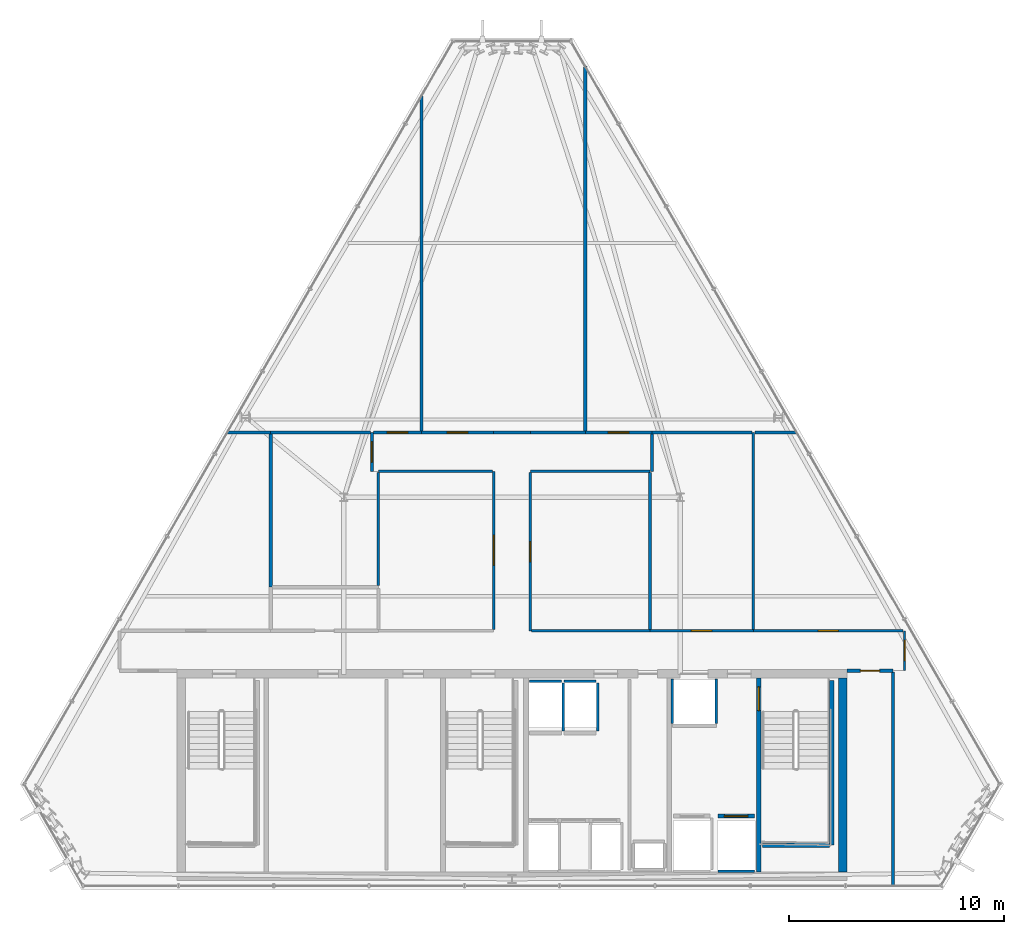
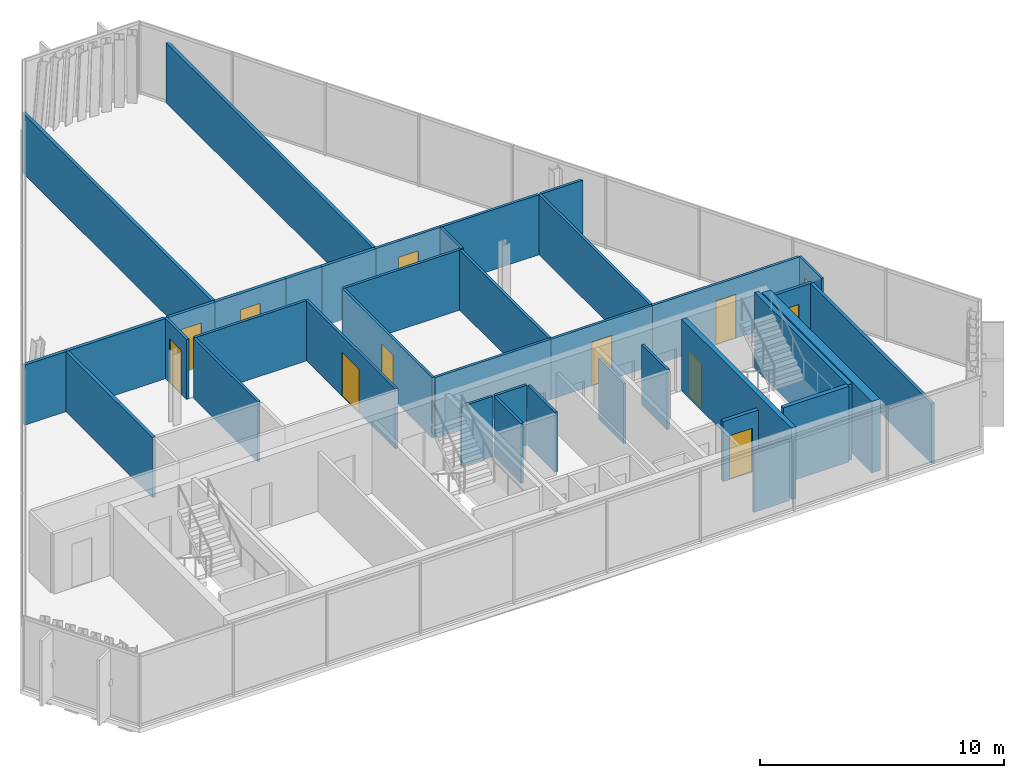
# One storey, part 30 of 34: 39 walls, 12 doors, 12 openings.
"""IFC4 building model written with IfcOpenShell, lengths in metres."""

from ifc_helpers import new_model, si_unit, direction, frame, frame_2d, origin, place, context, subcontext, project, spatial, rectangle, extrude, material, layer, layer_set, type_object, element, fill, save


model = new_model("IFC4")

# Units and contexts
model_context = context("Model", 3, precision=1e-05, world=origin(), true_north=direction((0.0, 1.0)))
body_context = subcontext(model_context, "Body", "Model", "MODEL_VIEW")
ifc_project = project(units=[si_unit("LENGTHUNIT", "METRE"), si_unit("AREAUNIT", "SQUARE_METRE"), si_unit("VOLUMEUNIT", "CUBIC_METRE"), si_unit("PLANEANGLEUNIT", "RADIAN"), si_unit("MASSUNIT", "GRAM", prefix="KILO")], contexts=[model_context])

# Site, building, storey
site_placement = place(None, origin())
site = spatial("IfcSite", under=ifc_project, at=site_placement, CompositionType="ELEMENT")
building_placement = place(site_placement, origin())
building = spatial("IfcBuilding", under=site, at=building_placement, Name="Ndaravel Arena Tower", CompositionType="ELEMENT")
storey_placement = place(building_placement, frame((0.0, 0.0, 267.39990234375)))
storey = spatial("IfcBuildingStorey", under=building, at=storey_placement, Name="L65", CompositionType="ELEMENT", Elevation=267.39990234375)

# Wall, opening, door
ifc_material_1 = material(Name="Concrete C50/60", Category="concrete")
ifc_layer_1 = layer(ifc_material_1, 0.219970703125)
ifc_layer_set_1 = layer_set([ifc_layer_1], Name="Concrete C50/60")
wall_type_1 = type_object("IfcWallType", Name="WALL-CORE-220", PredefinedType="SOLIDWALL", material=ifc_layer_set_1)
wall_1_placement = place(storey_placement, frame((53.449951171875, 5.800048828125, 0.0), z_axis=(0.0, 0.0, 1.0), x_axis=(0.0, 1.0, 0.0)))
wall_1 = element("IfcWall", 1, at=wall_1_placement, inside=storey, type_object=wall_type_1, Name="L65 Core Web Shear Wall 5", PredefinedType="SOLIDWALL", context=body_context, shape_type="SweptSolid", body=[
    extrude(rectangle(XDim=9.0, YDim=0.219970703125, at=frame_2d((4.5, 0.0))), origin(), (0.0, 0.0, 1.0), 3.580078125),
])
opening_1_placement = place(wall_1_placement, frame((7.5, 0.0, 0.0)))
opening_1 = element("IfcOpeningElement", 2, at=opening_1_placement, cuts=wall_1, Name="Opening FD-01", PredefinedType="OPENING", context=body_context, shape_type="SweptSolid", body=[
    extrude(rectangle(XDim=1.10009765625, YDim=2.199951171875, at=frame_2d((0.550048828125, 1.10009765625))), frame((0.0, 0.10986328125, 0.0), z_axis=(0.0, -1.0, 0.0), x_axis=(1.0, 0.0, 0.0)), (0.0, 0.0, 1.0), 0.219970703125),
])
ifc_material_2 = material(Name="Steel S355", Category="steel")
door_type_1 = type_object("IfcDoorType", Name="DT-01-STAIR-1100", OperationType="SINGLE_SWING_LEFT", PredefinedType="DOOR", material=ifc_material_2)
door_1_placement = place(opening_1_placement, origin())
door_1 = element("IfcDoor", 3, at=door_1_placement, inside=storey, type_object=door_type_1, Name="L65 Firefighting Lobby to ST-3 Door", OperationType="SINGLE_SWING_LEFT", OverallHeight=2.199951171875, OverallWidth=1.10009765625, PredefinedType="DOOR", context=body_context, shape_type="SweptSolid", body=[
    extrude(rectangle(XDim=1.10009765625, YDim=2.199951171875, at=frame_2d((0.550048828125, 1.10009765625))), frame((0.0, 0.02490234375, 0.0), z_axis=(0.0, -1.0, 0.0), x_axis=(1.0, 0.0, 0.0)), (0.0, 0.0, 1.0), 0.050048828125),
])
fill(opening_1, door_1)

# Wall
ifc_material_3 = material(Name="Concrete C50/60", Category="concrete")
ifc_layer_2 = layer(ifc_material_3, 0.39990234375)
ifc_layer_set_2 = layer_set([ifc_layer_2], Name="Concrete C50/60")
wall_type_2 = type_object("IfcWallType", Name="WALL-CORE-400", PredefinedType="SOLIDWALL", material=ifc_layer_set_2)
wall_2_placement = place(storey_placement, frame((57.35009765625, 5.800048828125, 0.0), z_axis=(0.0, 0.0, 1.0), x_axis=(0.0, 1.0, 0.0)))
element("IfcWall", 4, at=wall_2_placement, inside=storey, type_object=wall_type_2, Name="L65 Core East Shear Wall", PredefinedType="SOLIDWALL", context=body_context, shape_type="SweptSolid", body=[
    extrude(rectangle(XDim=9.0, YDim=0.39990234375, at=frame_2d((4.5, 0.0))), origin(), (0.0, 0.0, 1.0), 3.580078125),
])

# Wall, opening, door
ifc_material_4 = material(Name="Timber", Category="wood")
ifc_layer_3 = layer(ifc_material_4, 0.10009765625)
ifc_layer_set_3 = layer_set([ifc_layer_3], Name="Timber")
wall_type_3 = type_object("IfcWallType", Name="WALL-MOVABLE-100", PredefinedType="MOVABLE", material=ifc_layer_set_3)
wall_3_placement = place(storey_placement, frame((60.216064453125, 17.0, 0.0), z_axis=(0.0, 0.0, 1.0), x_axis=(0.0, -1.0, 0.0)))
wall_3 = element("IfcWall", 5, at=wall_3_placement, inside=storey, type_object=wall_type_3, Name="L65 Interior Partition 001", PredefinedType="MOVABLE", context=body_context, shape_type="SweptSolid", body=[
    extrude(rectangle(XDim=1.85009765625, YDim=0.10009765625, at=frame_2d((0.925048828125, 0.0))), origin(), (0.0, 0.0, 1.0), 3.010498046875),
])
opening_2_placement = place(wall_3_placement, frame((0.449951171875, 0.0, 0.0)))
opening_2 = element("IfcOpeningElement", 6, at=opening_2_placement, cuts=wall_3, Name="Opening ID-01", PredefinedType="OPENING", context=body_context, shape_type="SweptSolid", body=[
    extrude(rectangle(XDim=0.949951171875, YDim=2.199951171875, at=frame_2d((0.47509765625, 1.10009765625))), frame((0.0, 0.050048828125, 0.0), z_axis=(0.0, -1.0, 0.0), x_axis=(1.0, 0.0, 0.0)), (0.0, 0.0, 1.0), 0.10009765625),
])
ifc_material_5 = material(Name="Timber", Category="wood")
door_type_2 = type_object("IfcDoorType", Name="DT-03-OFFICE-950", OperationType="SINGLE_SWING_LEFT", PredefinedType="DOOR", material=ifc_material_5)
door_2_placement = place(opening_2_placement, origin())
door_2 = element("IfcDoor", 7, at=door_2_placement, inside=storey, type_object=door_type_2, Name="L65 Staff Wellness Clinic Door", OperationType="SINGLE_SWING_RIGHT", OverallHeight=2.199951171875, OverallWidth=0.949951171875, PredefinedType="DOOR", context=body_context, shape_type="SweptSolid", body=[
    extrude(rectangle(XDim=0.949951171875, YDim=2.199951171875, at=frame_2d((0.47509765625, 1.10009765625))), frame((0.0, 0.02490234375, 0.0), z_axis=(0.0, -1.0, 0.0), x_axis=(1.0, 0.0, 0.0)), (0.0, 0.0, 1.0), 0.050048828125),
])
fill(opening_2, door_2)

ifc_material_6 = material(Name="Gypsum", Category="gypsum")
ifc_layer_4 = layer(ifc_material_6, 0.125)
ifc_layer_set_4 = layer_set([ifc_layer_4], Name="Gypsum")
wall_type_4 = type_object("IfcWallType", Name="WALL-PART-125", PredefinedType="PARTITIONING", material=ifc_layer_set_4)
wall_4_placement = place(storey_placement, frame((41.14990234375, 17.06494140625, 0.0), z_axis=(0.0, 0.0, 1.0), x_axis=(0.0, 1.0, 0.0)))
wall_4 = element("IfcWall", 8, at=wall_4_placement, inside=storey, type_object=wall_type_4, Name="L65 Interior Partition 008", PredefinedType="PARTITIONING", context=body_context, shape_type="SweptSolid", body=[
    extrude(rectangle(XDim=7.3349609375, YDim=0.125, at=frame_2d((3.66748046875, 0.0))), origin(), (0.0, 0.0, 1.0), 3.010498046875),
])
opening_3_placement = place(wall_4_placement, frame((2.967529296875, 0.0, 0.0)))
opening_3 = element("IfcOpeningElement", 9, at=opening_3_placement, cuts=wall_4, Name="Opening ID-02", PredefinedType="OPENING", context=body_context, shape_type="SweptSolid", body=[
    extrude(rectangle(XDim=1.39990234375, YDim=2.199951171875, at=frame_2d((0.699951171875, 1.10009765625))), frame((0.0, 0.0625, 0.0), z_axis=(0.0, -1.0, 0.0), x_axis=(1.0, 0.0, 0.0)), (0.0, 0.0, 1.0), 0.125),
])
ifc_material_7 = material(Name="Timber", Category="wood")
door_type_3 = type_object("IfcDoorType", Name="DT-04-SUITE-1400", OperationType="DOUBLE_DOOR_SINGLE_SWING", PredefinedType="DOOR", material=ifc_material_7)
door_3_placement = place(opening_3_placement, origin())
door_3 = element("IfcDoor", 10, at=door_3_placement, inside=storey, type_object=door_type_3, Name="L65 Collaborative Lounge Door", OperationType="SINGLE_SWING_RIGHT", OverallHeight=2.199951171875, OverallWidth=1.39990234375, PredefinedType="DOOR", context=body_context, shape_type="SweptSolid", body=[
    extrude(rectangle(XDim=1.39990234375, YDim=2.199951171875, at=frame_2d((0.699951171875, 1.10009765625))), frame((0.0, 0.02490234375, 0.0), z_axis=(0.0, -1.0, 0.0), x_axis=(1.0, 0.0, 0.0)), (0.0, 0.0, 1.0), 0.050048828125),
])
fill(opening_3, door_3)

# Wall
wall_5_placement = place(storey_placement, frame((41.0849609375, 24.39990234375, 0.0), z_axis=(0.0, 0.0, 1.0), x_axis=(-1.0, 0.0, 0.0)))
element("IfcWall", 11, at=wall_5_placement, inside=storey, type_object=wall_type_4, Name="L65 Interior Partition 009", PredefinedType="PARTITIONING", context=body_context, shape_type="SweptSolid", body=[
    extrude(rectangle(XDim=5.284912109375, YDim=0.125, at=frame_2d((2.642578125, 0.0))), origin(), (0.0, 0.0, 1.0), 3.010498046875),
])

# Wall, opening, door
wall_6_placement = place(storey_placement, frame((35.5, 24.39990234375, 0.0), z_axis=(0.0, 0.0, 1.0), x_axis=(0.0, 1.0, 0.0)))
wall_6 = element("IfcWall", 12, at=wall_6_placement, inside=storey, type_object=wall_type_4, Name="L65 Interior Partition 010", PredefinedType="PARTITIONING", context=body_context, shape_type="SweptSolid", body=[
    extrude(rectangle(XDim=1.800048828125, YDim=0.125, at=frame_2d((0.89990234375, 0.0))), origin(), (0.0, 0.0, 1.0), 3.010498046875),
])
opening_4_placement = place(wall_6_placement, frame((0.425048828125, 0.0, 0.0)))
opening_4 = element("IfcOpeningElement", 13, at=opening_4_placement, cuts=wall_6, Name="Opening ID-01", PredefinedType="OPENING", context=body_context, shape_type="SweptSolid", body=[
    extrude(rectangle(XDim=0.949951171875, YDim=2.199951171875, at=frame_2d((0.47509765625, 1.10009765625))), frame((0.0, 0.0625, 0.0), z_axis=(0.0, -1.0, 0.0), x_axis=(1.0, 0.0, 0.0)), (0.0, 0.0, 1.0), 0.125),
])
door_4_placement = place(opening_4_placement, origin())
door_4 = element("IfcDoor", 14, at=door_4_placement, inside=storey, type_object=door_type_2, Name="L65 Medical First Aid Clinic 3 Door", OperationType="SINGLE_SWING_LEFT", OverallHeight=2.199951171875, OverallWidth=0.949951171875, PredefinedType="DOOR", context=body_context, shape_type="SweptSolid", body=[
    extrude(rectangle(XDim=0.949951171875, YDim=2.199951171875, at=frame_2d((0.47509765625, 1.10009765625))), frame((0.0, 0.02490234375, 0.0), z_axis=(0.0, -1.0, 0.0), x_axis=(1.0, 0.0, 0.0)), (0.0, 0.0, 1.0), 0.050048828125),
])
fill(opening_4, door_4)

wall_7_placement = place(storey_placement, frame((45.39990234375, 26.199951171875, 0.0), z_axis=(0.0, 0.0, 1.0), x_axis=(1.0, 0.0, 0.0)))
wall_7 = element("IfcWall", 15, at=wall_7_placement, inside=storey, type_object=wall_type_4, Name="L65 Interior Partition 015", PredefinedType="PARTITIONING", context=body_context, shape_type="SweptSolid", body=[
    extrude(rectangle(XDim=3.10009765625, YDim=0.125, at=frame_2d((1.550048828125, 0.0))), origin(), (0.0, 0.0, 1.0), 3.010498046875),
])
opening_5_placement = place(wall_7_placement, frame((1.074951171875, 0.0, 0.0)))
opening_5 = element("IfcOpeningElement", 16, at=opening_5_placement, cuts=wall_7, Name="Opening ID-01", PredefinedType="OPENING", context=body_context, shape_type="SweptSolid", body=[
    extrude(rectangle(XDim=0.949951171875, YDim=2.199951171875, at=frame_2d((0.47509765625, 1.10009765625))), frame((0.0, 0.0625, 0.0), z_axis=(0.0, -1.0, 0.0), x_axis=(1.0, 0.0, 0.0)), (0.0, 0.0, 1.0), 0.125),
])
door_5_placement = place(opening_5_placement, origin())
door_5 = element("IfcDoor", 17, at=door_5_placement, inside=storey, type_object=door_type_2, Name="L65 Physio Therapy Room 4 Door", OperationType="SINGLE_SWING_LEFT", OverallHeight=2.199951171875, OverallWidth=0.949951171875, PredefinedType="DOOR", context=body_context, shape_type="SweptSolid", body=[
    extrude(rectangle(XDim=0.949951171875, YDim=2.199951171875, at=frame_2d((0.47509765625, 1.10009765625))), frame((0.0, 0.02490234375, 0.0), z_axis=(0.0, -1.0, 0.0), x_axis=(1.0, 0.0, 0.0)), (0.0, 0.0, 1.0), 0.050048828125),
])
fill(opening_5, door_5)

# Walls
wall_8_placement = place(storey_placement, frame((48.5, 26.135009765625, 0.0), z_axis=(0.0, 0.0, 1.0), x_axis=(0.0, -1.0, 0.0)))
element("IfcWall", 18, at=wall_8_placement, inside=storey, type_object=wall_type_4, Name="L65 Interior Partition 016", PredefinedType="PARTITIONING", context=body_context, shape_type="SweptSolid", body=[
    extrude(rectangle(XDim=1.735107421875, YDim=0.125, at=frame_2d((0.86767578125, 0.0))), origin(), (0.0, 0.0, 1.0), 3.010498046875),
])
wall_9_placement = place(storey_placement, frame((48.39990234375, 24.39990234375, 0.0), z_axis=(0.0, 0.0, 1.0), x_axis=(-1.0, 0.0, 0.0)))
element("IfcWall", 19, at=wall_9_placement, inside=storey, type_object=wall_type_4, Name="L65 Interior Partition 017", PredefinedType="PARTITIONING", context=body_context, shape_type="SweptSolid", body=[
    extrude(rectangle(XDim=5.5498046875, YDim=0.125, at=frame_2d((2.77490234375, 0.0))), origin(), (0.0, 0.0, 1.0), 3.010498046875),
])

# Wall, opening, door
wall_10_placement = place(storey_placement, frame((42.85009765625, 24.3349609375, 0.0), z_axis=(0.0, 0.0, 1.0), x_axis=(0.0, -1.0, 0.0)))
wall_10 = element("IfcWall", 20, at=wall_10_placement, inside=storey, type_object=wall_type_4, Name="L65 Interior Partition 018", PredefinedType="PARTITIONING", context=body_context, shape_type="SweptSolid", body=[
    extrude(rectangle(XDim=7.3349609375, YDim=0.125, at=frame_2d((3.66748046875, 0.0))), origin(), (0.0, 0.0, 1.0), 3.010498046875),
])
opening_6_placement = place(wall_10_placement, frame((3.1923828125, 0.0, 0.0)))
opening_6 = element("IfcOpeningElement", 21, at=opening_6_placement, cuts=wall_10, Name="Opening ID-01", PredefinedType="OPENING", context=body_context, shape_type="SweptSolid", body=[
    extrude(rectangle(XDim=0.949951171875, YDim=2.199951171875, at=frame_2d((0.47509765625, 1.10009765625))), frame((0.0, 0.0625, 0.0), z_axis=(0.0, -1.0, 0.0), x_axis=(1.0, 0.0, 0.0)), (0.0, 0.0, 1.0), 0.125),
])
door_6_placement = place(opening_6_placement, origin())
door_6 = element("IfcDoor", 22, at=door_6_placement, inside=storey, type_object=door_type_2, Name="L65 Design Bookshop Boutique Door", OperationType="SINGLE_SWING_LEFT", OverallHeight=2.199951171875, OverallWidth=0.949951171875, PredefinedType="DOOR", context=body_context, shape_type="SweptSolid", body=[
    extrude(rectangle(XDim=0.949951171875, YDim=2.199951171875, at=frame_2d((0.47509765625, 1.10009765625))), frame((0.0, 0.02490234375, 0.0), z_axis=(0.0, -1.0, 0.0), x_axis=(1.0, 0.0, 0.0)), (0.0, 0.0, 1.0), 0.050048828125),
])
fill(opening_6, door_6)

# Wall
wall_11_placement = place(storey_placement, frame((42.9150390625, 17.0, 0.0), z_axis=(0.0, 0.0, 1.0), x_axis=(1.0, 0.0, 0.0)))
element("IfcWall", 23, at=wall_11_placement, inside=storey, type_object=wall_type_4, Name="L65 Interior Partition 019", PredefinedType="PARTITIONING", context=body_context, shape_type="SweptSolid", body=[
    extrude(rectangle(XDim=5.48486328125, YDim=0.125, at=frame_2d((2.742431640625, 0.0))), origin(), (0.0, 0.0, 1.0), 3.010498046875),
])

# Wall, opening, door
wall_12_placement = place(storey_placement, frame((48.39990234375, 17.0, 0.0), z_axis=(0.0, 0.0, 1.0), x_axis=(1.0, 0.0, 0.0)))
wall_12 = element("IfcWall", 24, at=wall_12_placement, inside=storey, type_object=wall_type_4, Name="L65 Interior Partition 020", PredefinedType="PARTITIONING", context=body_context, shape_type="SweptSolid", body=[
    extrude(rectangle(XDim=4.800048828125, YDim=0.125, at=frame_2d((2.39990234375, 0.0))), origin(), (0.0, 0.0, 1.0), 3.010498046875),
])
opening_7_placement = place(wall_12_placement, frame((1.925048828125, 0.0, 0.0)))
opening_7 = element("IfcOpeningElement", 25, at=opening_7_placement, cuts=wall_12, Name="Opening ID-01", PredefinedType="OPENING", context=body_context, shape_type="SweptSolid", body=[
    extrude(rectangle(XDim=0.949951171875, YDim=2.199951171875, at=frame_2d((0.47509765625, 1.10009765625))), frame((0.0, 0.0625, 0.0), z_axis=(0.0, -1.0, 0.0), x_axis=(1.0, 0.0, 0.0)), (0.0, 0.0, 1.0), 0.125),
])
door_7_placement = place(opening_7_placement, origin())
door_7 = element("IfcDoor", 26, at=door_7_placement, inside=storey, type_object=door_type_2, Name="L65 Occupational Consult Room 2 Door", OperationType="SINGLE_SWING_RIGHT", OverallHeight=2.199951171875, OverallWidth=0.949951171875, PredefinedType="DOOR", context=body_context, shape_type="SweptSolid", body=[
    extrude(rectangle(XDim=0.949951171875, YDim=2.199951171875, at=frame_2d((0.47509765625, 1.10009765625))), frame((0.0, 0.02490234375, 0.0), z_axis=(0.0, -1.0, 0.0), x_axis=(1.0, 0.0, 0.0)), (0.0, 0.0, 1.0), 0.050048828125),
])
fill(opening_7, door_7)

wall_13_placement = place(storey_placement, frame((53.199951171875, 17.0, 0.0), z_axis=(0.0, 0.0, 1.0), x_axis=(1.0, 0.0, 0.0)))
wall_13 = element("IfcWall", 27, at=wall_13_placement, inside=storey, type_object=wall_type_4, Name="L65 Interior Partition 021", PredefinedType="PARTITIONING", context=body_context, shape_type="SweptSolid", body=[
    extrude(rectangle(XDim=6.950927734375, YDim=0.125, at=frame_2d((3.4755859375, 0.0))), origin(), (0.0, 0.0, 1.0), 3.010498046875),
])
opening_8_placement = place(wall_13_placement, frame((3.00048828125, 0.0, 0.0)))
opening_8 = element("IfcOpeningElement", 28, at=opening_8_placement, cuts=wall_13, Name="Opening ID-01", PredefinedType="OPENING", context=body_context, shape_type="SweptSolid", body=[
    extrude(rectangle(XDim=0.949951171875, YDim=2.199951171875, at=frame_2d((0.47509765625, 1.10009765625))), frame((0.0, 0.0625, 0.0), z_axis=(0.0, -1.0, 0.0), x_axis=(1.0, 0.0, 0.0)), (0.0, 0.0, 1.0), 0.125),
])
door_8_placement = place(opening_8_placement, origin())
door_8 = element("IfcDoor", 29, at=door_8_placement, inside=storey, type_object=door_type_2, Name="L65 Barista Galley 3 Door", OperationType="SINGLE_SWING_LEFT", OverallHeight=2.199951171875, OverallWidth=0.949951171875, PredefinedType="DOOR", context=body_context, shape_type="SweptSolid", body=[
    extrude(rectangle(XDim=0.949951171875, YDim=2.199951171875, at=frame_2d((0.47509765625, 1.10009765625))), frame((0.0, 0.02490234375, 0.0), z_axis=(0.0, -1.0, 0.0), x_axis=(1.0, 0.0, 0.0)), (0.0, 0.0, 1.0), 0.050048828125),
])
fill(opening_8, door_8)

# Walls
wall_14_placement = place(storey_placement, frame((35.800048828125, 19.089111328125, 0.0), z_axis=(0.0, 0.0, 1.0), x_axis=(0.0, 1.0, 0.0)))
element("IfcWall", 30, at=wall_14_placement, inside=storey, type_object=wall_type_4, Name="L65 Interior Partition 026", PredefinedType="PARTITIONING", context=body_context, shape_type="SweptSolid", body=[
    extrude(rectangle(XDim=5.245849609375, YDim=0.125, at=frame_2d((2.623046875, 0.0))), origin(), (0.0, 0.0, 1.0), 3.010498046875),
])
wall_15_placement = place(storey_placement, frame((48.39990234375, 24.3349609375, 0.0), z_axis=(0.0, 0.0, 1.0), x_axis=(0.0, -1.0, 0.0)))
element("IfcWall", 31, at=wall_15_placement, inside=storey, type_object=wall_type_4, Name="L65 Interior Partition 027", PredefinedType="PARTITIONING", context=body_context, shape_type="SweptSolid", body=[
    extrude(rectangle(XDim=7.27001953125, YDim=0.125, at=frame_2d((3.635009765625, 0.0))), origin(), (0.0, 0.0, 1.0), 3.010498046875),
])
wall_16_placement = place(storey_placement, frame((53.199951171875, 17.06494140625, 0.0), z_axis=(0.0, 0.0, 1.0), x_axis=(0.0, 1.0, 0.0)))
element("IfcWall", 32, at=wall_16_placement, inside=storey, type_object=wall_type_4, Name="L65 Interior Partition 030", PredefinedType="PARTITIONING", context=body_context, shape_type="SweptSolid", body=[
    extrude(rectangle(XDim=9.135009765625, YDim=0.125, at=frame_2d((4.5673828125, 0.0))), origin(), (0.0, 0.0, 1.0), 3.010498046875),
])
wall_17_placement = place(storey_placement, frame((53.264892578125, 26.199951171875, 0.0), z_axis=(0.0, 0.0, 1.0), x_axis=(1.0, 0.0, 0.0)))
element("IfcWall", 33, at=wall_17_placement, inside=storey, type_object=wall_type_4, Name="L65 Interior Partition 031", PredefinedType="PARTITIONING", context=body_context, shape_type="SweptSolid", body=[
    extrude(rectangle(XDim=1.94921875, YDim=0.125, at=frame_2d((0.974609375, 0.0))), origin(), (0.0, 0.0, 1.0), 3.010498046875),
])
wall_18_placement = place(storey_placement, frame((48.5, 26.199951171875, 0.0), z_axis=(0.0, 0.0, 1.0), x_axis=(1.0, 0.0, 0.0)))
element("IfcWall", 34, at=wall_18_placement, inside=storey, type_object=wall_type_4, Name="L65 Interior Partition 032", PredefinedType="PARTITIONING", context=body_context, shape_type="SweptSolid", body=[
    extrude(rectangle(XDim=4.635009765625, YDim=0.125, at=frame_2d((2.3173828125, 0.0))), origin(), (0.0, 0.0, 1.0), 3.010498046875),
])
ifc_material_8 = material(Name="Concrete C40/50", Category="concrete")
ifc_layer_5 = layer(ifc_material_8, 0.1201171875)
ifc_layer_set_5 = layer_set([ifc_layer_5], Name="Concrete C40/50")
wall_type_5 = type_object("IfcWallType", Name="WALL-SHAFT-120", PredefinedType="SOLIDWALL", material=ifc_layer_set_5)
wall_19_placement = place(storey_placement, frame((42.804931640625, 14.659912109375, 0.0), z_axis=(0.0, 0.0, 1.0), x_axis=(1.0, 0.0, 0.0)))
element("IfcWall", 35, at=wall_19_placement, inside=storey, type_object=wall_type_5, Name="L65 PL-OBS1 Shaft Rear Wall", PredefinedType="SOLIDWALL", context=body_context, shape_type="SweptSolid", body=[
    extrude(rectangle(XDim=1.489990234375, YDim=0.1201171875, at=frame_2d((0.7451171875, 0.0))), origin(), (0.0, 0.0, 1.0), 3.010498046875),
])
wall_20_placement = place(storey_placement, frame((44.375, 12.340087890625, 0.0), z_axis=(0.0, 0.0, 1.0), x_axis=(0.0, 1.0, 0.0)))
element("IfcWall", 36, at=wall_20_placement, inside=storey, type_object=wall_type_5, Name="L65 PL-OBS1 Shaft Side R Wall", PredefinedType="SOLIDWALL", context=body_context, shape_type="SweptSolid", body=[
    extrude(rectangle(XDim=2.22998046875, YDim=0.1201171875, at=frame_2d((1.114990234375, 0.0))), origin(), (0.0, 0.0, 1.0), 3.010498046875),
])
wall_21_placement = place(storey_placement, frame((44.405029296875, 14.659912109375, 0.0), z_axis=(0.0, 0.0, 1.0), x_axis=(1.0, 0.0, 0.0)))
element("IfcWall", 37, at=wall_21_placement, inside=storey, type_object=wall_type_5, Name="L65 PL-OBS2 Shaft Rear Wall", PredefinedType="SOLIDWALL", context=body_context, shape_type="SweptSolid", body=[
    extrude(rectangle(XDim=1.489990234375, YDim=0.1201171875, at=frame_2d((0.7451171875, 0.0))), origin(), (0.0, 0.0, 1.0), 3.010498046875),
])
wall_22_placement = place(storey_placement, frame((45.97509765625, 12.340087890625, 0.0), z_axis=(0.0, 0.0, 1.0), x_axis=(0.0, 1.0, 0.0)))
element("IfcWall", 38, at=wall_22_placement, inside=storey, type_object=wall_type_5, Name="L65 PL-OBS2 Shaft Side R Wall", PredefinedType="SOLIDWALL", context=body_context, shape_type="SweptSolid", body=[
    extrude(rectangle(XDim=2.22998046875, YDim=0.1201171875, at=frame_2d((1.114990234375, 0.0))), origin(), (0.0, 0.0, 1.0), 3.010498046875),
])
wall_23_placement = place(storey_placement, frame((51.554931640625, 5.840087890625, 0.0), z_axis=(0.0, 0.0, 1.0), x_axis=(1.0, 0.0, 0.0)))
element("IfcWall", 39, at=wall_23_placement, inside=storey, type_object=wall_type_5, Name="L65 FFL-2 Shaft Rear Wall", PredefinedType="SOLIDWALL", context=body_context, shape_type="SweptSolid", body=[
    extrude(rectangle(XDim=1.690185546875, YDim=0.1201171875, at=frame_2d((0.84521484375, 0.0))), origin(), (0.0, 0.0, 1.0), 3.010498046875),
])
for number, where, z_axis, x_axis, name in (
    (40, (49.43994140625, 12.68994140625, 0.0), (0.0, 0.0, 1.0), (0.0, 1.0, 0.0), "L65 SVL-1 Shaft W Wall"),
    (41, (51.47998046875, 12.68994140625, 0.0), (0.0, 0.0, 1.0), (0.0, 1.0, 0.0), "L65 SVL-1 Shaft E Wall"),
):
    element("IfcWall", number, at=place(storey_placement, frame(where, z_axis=z_axis, x_axis=x_axis)), inside=storey, type_object=wall_type_5, Name=name, PredefinedType="SOLIDWALL", context=body_context, shape_type="SweptSolid", body=[
        extrude(rectangle(XDim=2.070068359375, YDim=0.1201171875, at=frame_2d((1.03515625, 0.0))), origin(), (0.0, 0.0, 1.0), 3.010498046875),
    ])
ifc_material_9 = material(Name="Concrete C40/50", Category="concrete")
ifc_layer_6 = layer(ifc_material_9, 0.199951171875)
ifc_layer_set_6 = layer_set([ifc_layer_6], Name="Concrete C40/50")
wall_type_6 = type_object("IfcWallType", Name="WALL-SHAFT-200", PredefinedType="SOLIDWALL", material=ifc_layer_set_6)
wall_24_placement = place(storey_placement, frame((56.840087890625, 14.699951171875, 0.0), z_axis=(0.0, 0.0, 1.0), x_axis=(0.0, -1.0, 0.0)))
element("IfcWall", 42, at=wall_24_placement, inside=storey, type_object=wall_type_6, Name="L65 ST-3 Structural Shaft Wall Right", PredefinedType="SOLIDWALL", context=body_context, shape_type="SweptSolid", body=[
    extrude(rectangle(XDim=7.64990234375, YDim=0.199951171875, at=frame_2d((3.824951171875, 0.0))), origin(), (0.0, 0.0, 1.0), 3.800048828125),
])
wall_25_placement = place(storey_placement, frame((53.6201171875, 7.050048828125, 0.0), z_axis=(0.0, 0.0, 1.0), x_axis=(1.0, 0.0, 0.0)))
element("IfcWall", 43, at=wall_25_placement, inside=storey, type_object=wall_type_6, Name="L65 ST-3 Structural Shaft Wall Far", PredefinedType="SOLIDWALL", context=body_context, shape_type="SweptSolid", body=[
    extrude(rectangle(XDim=3.114990234375, YDim=0.199951171875, at=frame_2d((1.5576171875, 0.0))), origin(), (0.0, 0.0, 1.0), 3.800048828125),
])

# Wall, opening, door
wall_26_placement = place(storey_placement, frame((51.554931640625, 8.39990234375, 0.0), z_axis=(0.0, 0.0, 1.0), x_axis=(1.0, 0.0, 0.0)))
wall_26 = element("IfcWall", 44, at=wall_26_placement, inside=storey, type_object=wall_type_6, Name="L65 FFL-2 Shaft Landing Wall", PredefinedType="SOLIDWALL", context=body_context, shape_type="SweptSolid", body=[
    extrude(rectangle(XDim=1.690185546875, YDim=0.179931640625, at=frame_2d((0.84521484375, 0.0))), origin(), (0.0, 0.0, 1.0), 3.010498046875),
])
opening_9_placement = place(wall_26_placement, frame((0.294921875, 0.0, 0.0)))
opening_9 = element("IfcOpeningElement", 45, at=opening_9_placement, cuts=wall_26, Name="Opening LD-01", PredefinedType="OPENING", context=body_context, shape_type="SweptSolid", body=[
    extrude(rectangle(XDim=1.10009765625, YDim=2.199951171875, at=frame_2d((0.550048828125, 1.10009765625))), frame((0.0, 0.08984375, 0.0), z_axis=(0.0, -1.0, 0.0), x_axis=(1.0, 0.0, 0.0)), (0.0, 0.0, 1.0), 0.179931640625),
])
ifc_material_10 = material(Name="Steel S355", Category="steel")
door_type_4 = type_object("IfcDoorType", Name="DT-06-LIFT-1100", OperationType="SLIDING_TO_LEFT", PredefinedType="DOOR", material=ifc_material_10)
door_9_placement = place(opening_9_placement, origin())
door_9 = element("IfcDoor", 46, at=door_9_placement, inside=storey, type_object=door_type_4, Name="L65 Lift FFL-2 Sliding Landing Door", OperationType="SLIDING_TO_LEFT", OverallHeight=2.199951171875, OverallWidth=1.10009765625, PredefinedType="DOOR", context=body_context, shape_type="SweptSolid", body=[
    extrude(rectangle(XDim=1.10009765625, YDim=2.199951171875, at=frame_2d((0.550048828125, 1.10009765625))), frame((0.0, 0.02490234375, 0.0), z_axis=(0.0, -1.0, 0.0), x_axis=(1.0, 0.0, 0.0)), (0.0, 0.0, 1.0), 0.050048828125),
])
fill(opening_9, door_9)

ifc_material_11 = material(Name="Masonry", Category="masonry")
ifc_layer_7 = layer(ifc_material_11, 0.14990234375)
ifc_layer_set_7 = layer_set([ifc_layer_7], Name="Masonry")
wall_type_7 = type_object("IfcWallType", Name="WALL-WET-150", PredefinedType="PARTITIONING", material=ifc_layer_set_7)
wall_27_placement = place(storey_placement, frame((59.67431640625, 15.14990234375, 0.0), z_axis=(0.0, 0.0, 1.0), x_axis=(-1.0, 0.0, 0.0)))
wall_27 = element("IfcWall", 47, at=wall_27_placement, inside=storey, type_object=wall_type_7, Name="L65 Interior Partition 002", PredefinedType="PARTITIONING", context=body_context, shape_type="SweptSolid", body=[
    extrude(rectangle(XDim=2.124267578125, YDim=0.14990234375, at=frame_2d((1.06201171875, 0.0))), origin(), (0.0, 0.0, 1.0), 3.010498046875),
])
opening_10_placement = place(wall_27_placement, frame((0.6123046875, 0.0, 0.0)))
opening_10 = element("IfcOpeningElement", 48, at=opening_10_placement, cuts=wall_27, Name="Opening WD-01", PredefinedType="OPENING", context=body_context, shape_type="SweptSolid", body=[
    extrude(rectangle(XDim=0.89990234375, YDim=2.14990234375, at=frame_2d((0.449951171875, 1.074951171875))), frame((0.0, 0.074951171875, 0.0), z_axis=(0.0, -1.0, 0.0), x_axis=(1.0, 0.0, 0.0)), (0.0, 0.0, 1.0), 0.14990234375),
])
ifc_material_12 = material(Name="Timber", Category="wood")
door_type_5 = type_object("IfcDoorType", Name="DT-05-WC-900", OperationType="SINGLE_SWING_LEFT", PredefinedType="DOOR", material=ifc_material_12)
door_10_placement = place(opening_10_placement, origin())
door_10 = element("IfcDoor", 49, at=door_10_placement, inside=storey, type_object=door_type_5, Name="L65 Male Staff & Visitor Restroom Door", OperationType="SINGLE_SWING_RIGHT", OverallHeight=2.14990234375, OverallWidth=0.89990234375, PredefinedType="DOOR", context=body_context, shape_type="SweptSolid", body=[
    extrude(rectangle(XDim=0.89990234375, YDim=2.14990234375, at=frame_2d((0.449951171875, 1.074951171875))), frame((0.0, 0.02490234375, 0.0), z_axis=(0.0, -1.0, 0.0), x_axis=(1.0, 0.0, 0.0)), (0.0, 0.0, 1.0), 0.050048828125),
])
fill(opening_10, door_10)

wall_28_placement = place(storey_placement, frame((35.56494140625, 26.199951171875, 0.0), z_axis=(0.0, 0.0, 1.0), x_axis=(1.0, 0.0, 0.0)))
wall_28 = element("IfcWall", 50, at=wall_28_placement, inside=storey, type_object=wall_type_7, Name="L65 Interior Partition 011", PredefinedType="PARTITIONING", context=body_context, shape_type="SweptSolid", body=[
    extrude(rectangle(XDim=2.235107421875, YDim=0.14990234375, at=frame_2d((1.11767578125, 0.0))), origin(), (0.0, 0.0, 1.0), 3.010498046875),
])
opening_11_placement = place(wall_28_placement, frame((0.642578125, 0.0, 0.0)))
opening_11 = element("IfcOpeningElement", 51, at=opening_11_placement, cuts=wall_28, Name="Opening FD-03", PredefinedType="OPENING", context=body_context, shape_type="SweptSolid", body=[
    extrude(rectangle(XDim=0.949951171875, YDim=2.199951171875, at=frame_2d((0.47509765625, 1.10009765625))), frame((0.0, 0.074951171875, 0.0), z_axis=(0.0, -1.0, 0.0), x_axis=(1.0, 0.0, 0.0)), (0.0, 0.0, 1.0), 0.14990234375),
])
ifc_material_13 = material(Name="Steel S355", Category="steel")
door_type_6 = type_object("IfcDoorType", Name="DT-11-CORE-950", OperationType="SINGLE_SWING_LEFT", PredefinedType="DOOR", material=ifc_material_13)
door_11_placement = place(opening_11_placement, origin())
door_11 = element("IfcDoor", 52, at=door_11_placement, inside=storey, type_object=door_type_6, Name="L65 Floor Servery Kitchen 4 Door", OperationType="SINGLE_SWING_RIGHT", OverallHeight=2.199951171875, OverallWidth=0.949951171875, PredefinedType="DOOR", context=body_context, shape_type="SweptSolid", body=[
    extrude(rectangle(XDim=0.949951171875, YDim=2.199951171875, at=frame_2d((0.47509765625, 1.10009765625))), frame((0.0, 0.02490234375, 0.0), z_axis=(0.0, -1.0, 0.0), x_axis=(1.0, 0.0, 0.0)), (0.0, 0.0, 1.0), 0.050048828125),
])
fill(opening_11, door_11)

wall_29_placement = place(storey_placement, frame((37.800048828125, 26.199951171875, 0.0), z_axis=(0.0, 0.0, 1.0), x_axis=(1.0, 0.0, 0.0)))
wall_29 = element("IfcWall", 53, at=wall_29_placement, inside=storey, type_object=wall_type_7, Name="L65 Interior Partition 012", PredefinedType="PARTITIONING", context=body_context, shape_type="SweptSolid", body=[
    extrude(rectangle(XDim=3.349853515625, YDim=0.14990234375, at=frame_2d((1.6748046875, 0.0))), origin(), (0.0, 0.0, 1.0), 3.010498046875),
])
opening_12_placement = place(wall_29_placement, frame((1.199951171875, 0.0, 0.0)))
opening_12 = element("IfcOpeningElement", 54, at=opening_12_placement, cuts=wall_29, Name="Opening FD-03", PredefinedType="OPENING", context=body_context, shape_type="SweptSolid", body=[
    extrude(rectangle(XDim=0.949951171875, YDim=2.199951171875, at=frame_2d((0.47509765625, 1.10009765625))), frame((0.0, 0.074951171875, 0.0), z_axis=(0.0, -1.0, 0.0), x_axis=(1.0, 0.0, 0.0)), (0.0, 0.0, 1.0), 0.14990234375),
])
door_12_placement = place(opening_12_placement, origin())
door_12 = element("IfcDoor", 55, at=door_12_placement, inside=storey, type_object=door_type_6, Name="L65 Staff Espresso Kitchen 5 Door", OperationType="SINGLE_SWING_RIGHT", OverallHeight=2.199951171875, OverallWidth=0.949951171875, PredefinedType="DOOR", context=body_context, shape_type="SweptSolid", body=[
    extrude(rectangle(XDim=0.949951171875, YDim=2.199951171875, at=frame_2d((0.47509765625, 1.10009765625))), frame((0.0, 0.02490234375, 0.0), z_axis=(0.0, -1.0, 0.0), x_axis=(1.0, 0.0, 0.0)), (0.0, 0.0, 1.0), 0.050048828125),
])
fill(opening_12, door_12)

# Walls
wall_30_placement = place(storey_placement, frame((41.14990234375, 26.199951171875, 0.0), z_axis=(0.0, 0.0, 1.0), x_axis=(1.0, 0.0, 0.0)))
element("IfcWall", 56, at=wall_30_placement, inside=storey, type_object=wall_type_7, Name="L65 Interior Partition 013", PredefinedType="PARTITIONING", context=body_context, shape_type="SweptSolid", body=[
    extrude(rectangle(XDim=1.7001953125, YDim=0.14990234375, at=frame_2d((0.85009765625, 0.0))), origin(), (0.0, 0.0, 1.0), 3.010498046875),
])
wall_31_placement = place(storey_placement, frame((42.85009765625, 26.199951171875, 0.0), z_axis=(0.0, 0.0, 1.0), x_axis=(1.0, 0.0, 0.0)))
element("IfcWall", 57, at=wall_31_placement, inside=storey, type_object=wall_type_7, Name="L65 Interior Partition 014", PredefinedType="PARTITIONING", context=body_context, shape_type="SweptSolid", body=[
    extrude(rectangle(XDim=2.5498046875, YDim=0.14990234375, at=frame_2d((1.27490234375, 0.0))), origin(), (0.0, 0.0, 1.0), 3.010498046875),
])
wall_32_placement = place(storey_placement, frame((59.67431640625, 15.0849609375, 0.0), z_axis=(0.0, 0.0, 1.0), x_axis=(0.0, -1.0, 0.0)))
element("IfcWall", 58, at=wall_32_placement, inside=storey, type_object=wall_type_7, Name="L65 Interior Partition 022", PredefinedType="PARTITIONING", context=body_context, shape_type="SweptSolid", body=[
    extrude(rectangle(XDim=9.925048828125, YDim=0.14990234375, at=frame_2d((4.96240234375, 0.0))), origin(), (0.0, 0.0, 1.0), 3.010498046875),
])
wall_33_placement = place(storey_placement, frame((28.785888671875, 26.199951171875, 0.0), z_axis=(0.0, 0.0, 1.0), x_axis=(1.0, 0.0, 0.0)))
element("IfcWall", 59, at=wall_33_placement, inside=storey, type_object=wall_type_7, Name="L65 Interior Partition 028", PredefinedType="PARTITIONING", context=body_context, shape_type="SweptSolid", body=[
    extrude(rectangle(XDim=2.01416015625, YDim=0.14990234375, at=frame_2d((1.007080078125, 0.0))), origin(), (0.0, 0.0, 1.0), 3.010498046875),
])
wall_34_placement = place(storey_placement, frame((30.800048828125, 26.135009765625, 0.0), z_axis=(0.0, 0.0, 1.0), x_axis=(0.0, -1.0, 0.0)))
element("IfcWall", 60, at=wall_34_placement, inside=storey, type_object=wall_type_7, Name="L65 Interior Partition 029", PredefinedType="PARTITIONING", context=body_context, shape_type="SweptSolid", body=[
    extrude(rectangle(XDim=7.111083984375, YDim=0.14990234375, at=frame_2d((3.5556640625, 0.0))), origin(), (0.0, 0.0, 1.0), 3.010498046875),
])
wall_35_placement = place(storey_placement, frame((30.800048828125, 26.199951171875, 0.0), z_axis=(0.0, 0.0, 1.0), x_axis=(1.0, 0.0, 0.0)))
element("IfcWall", 61, at=wall_35_placement, inside=storey, type_object=wall_type_7, Name="L65 Interior Partition 033", PredefinedType="PARTITIONING", context=body_context, shape_type="SweptSolid", body=[
    extrude(rectangle(XDim=4.635009765625, YDim=0.14990234375, at=frame_2d((2.3173828125, 0.0))), origin(), (0.0, 0.0, 1.0), 3.010498046875),
])
wall_36_placement = place(storey_placement, frame((37.800048828125, 41.812744140625, 0.0), z_axis=(0.0, 0.0, 1.0), x_axis=(0.0, -1.0, 0.0)))
element("IfcWall", 62, at=wall_36_placement, inside=storey, type_object=wall_type_7, Name="L65 Interior Partition 034", PredefinedType="PARTITIONING", context=body_context, shape_type="SweptSolid", body=[
    extrude(rectangle(XDim=15.5478515625, YDim=0.14990234375, at=frame_2d((7.77392578125, 0.0))), origin(), (0.0, 0.0, 1.0), 3.010498046875),
])
wall_37_placement = place(storey_placement, frame((45.39990234375, 26.264892578125, 0.0), z_axis=(0.0, 0.0, 1.0), x_axis=(0.0, 1.0, 0.0)))
element("IfcWall", 63, at=wall_37_placement, inside=storey, type_object=wall_type_7, Name="L65 Interior Partition 035", PredefinedType="PARTITIONING", context=body_context, shape_type="SweptSolid", body=[
    extrude(rectangle(XDim=16.933349609375, YDim=0.14990234375, at=frame_2d((8.466796875, 0.0))), origin(), (0.0, 0.0, 1.0), 3.010498046875),
])

save(model, "model.ifc")
